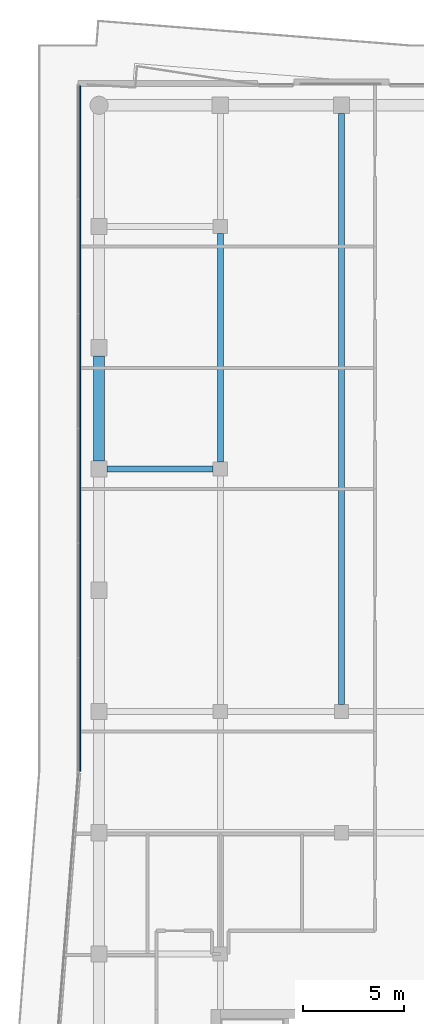
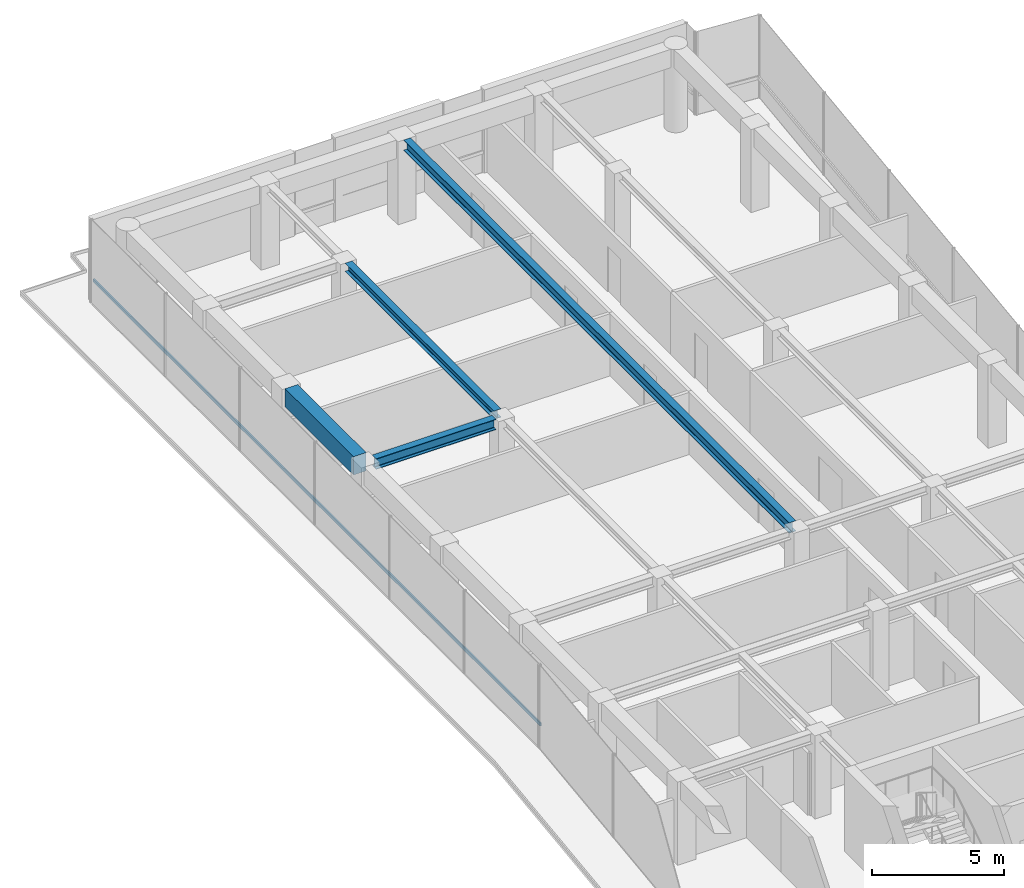
# One storey, part 10 of 23: 4 beams, 1 member, 1 element without a shape of its own.
"""IFC4 building model written with IfcOpenShell, lengths in metres."""

from ifc_helpers import new_model, si_unit, direction, frame, origin, origin_2d, place, context, subcontext, project, spatial, rectangle, i_section, extrude, material, layer, layer_set, material_profile, profile_set, type_object, element, aggregate, save


model = new_model("IFC4")

# Units and contexts
model_context = context("Model", 3, precision=1e-05, world=origin(), true_north=direction((0.0, 1.0)))
body_context = subcontext(model_context, "Body", "Model", "MODEL_VIEW")
ifc_project = project(units=[si_unit("LENGTHUNIT", "METRE"), si_unit("AREAUNIT", "SQUARE_METRE"), si_unit("VOLUMEUNIT", "CUBIC_METRE"), si_unit("PLANEANGLEUNIT", "RADIAN"), si_unit("MASSUNIT", "GRAM", prefix="KILO")], contexts=[model_context])

# Site, building, storey
site_placement = place(None, origin())
site = spatial("IfcSite", under=ifc_project, at=site_placement, CompositionType="ELEMENT")
building_placement = place(site_placement, origin())
building = spatial("IfcBuilding", under=site, at=building_placement, Name="Welwitschia Terrace Campus", CompositionType="ELEMENT")
storey_placement = place(building_placement, frame((0.0, 0.0, 247.39990234375)))
storey = spatial("IfcBuildingStorey", under=building, at=storey_placement, Name="L55", CompositionType="ELEMENT", Elevation=247.39990234375)

# Beams
ifc_material_1 = material(Name="Steel S355", Category="steel")
ifc_material_profile_1 = material_profile(ifc_material_1, i_section(OverallWidth=0.300048828125, OverallDepth=0.389892578125, WebThickness=0.010986328125, FlangeThickness=0.01904296875, FilletRadius=0.027099609375, at=origin_2d()))
ifc_profile_set_1 = profile_set([ifc_material_profile_1], Name="Steel S355")
beam_type_1 = type_object("IfcBeamType", Name="Interior girder HE 400 A", PredefinedType="BEAM", material=ifc_profile_set_1)
beam_1_placement = place(storey_placement, frame((6.0, 52.3505859375, 3.655029296875), z_axis=(0.0, 1.0, 0.0), x_axis=(-1.0, 0.0, 0.0)))
element("IfcBeam", 1, at=beam_1_placement, inside=storey, type_object=beam_type_1, Name="Girder GB5", PredefinedType="BEAM", context=body_context, shape_type="SweptSolid", body=[
    extrude(i_section(OverallWidth=0.300048828125, OverallDepth=0.389892578125, WebThickness=0.010986328125, FlangeThickness=0.01904296875, FilletRadius=0.027099609375, at=origin_2d()), origin(), (0.0, 0.0, 1.0), 11.298828125),
])
ifc_material_2 = material(Name="Steel S355", Category="steel")
ifc_material_profile_2 = material_profile(ifc_material_2, i_section(OverallWidth=0.300048828125, OverallDepth=0.489990234375, WebThickness=0.011962890625, FlangeThickness=0.02294921875, FilletRadius=0.027099609375, at=origin_2d()))
ifc_profile_set_2 = profile_set([ifc_material_profile_2], Name="Steel S355")
beam_type_2 = type_object("IfcBeamType", Name="Primary beam HE 500 A", PredefinedType="BEAM", material=ifc_profile_set_2)
beam_2_placement = place(storey_placement, frame((12.0, 69.599609375, 3.60498046875), z_axis=(0.0, -1.0, 0.0), x_axis=(1.0, 0.0, 0.0)))
element("IfcBeam", 2, at=beam_2_placement, inside=storey, type_object=beam_type_2, Name="Primary beam PB5", PredefinedType="BEAM", context=body_context, shape_type="SweptSolid", body=[
    extrude(i_section(OverallWidth=0.300048828125, OverallDepth=0.489990234375, WebThickness=0.011962890625, FlangeThickness=0.02294921875, FilletRadius=0.027099609375, at=origin_2d()), origin(), (0.0, 0.0, 1.0), 29.2490234375),
])
beam_3_placement = place(storey_placement, frame((0.400390625, 52.0, 3.60498046875), z_axis=(1.0, 0.0, 0.0), x_axis=(0.0, 1.0, 0.0)))
element("IfcBeam", 3, at=beam_3_placement, inside=storey, type_object=beam_type_2, Name="Primary beam PB5", PredefinedType="BEAM", context=body_context, shape_type="SweptSolid", body=[
    extrude(i_section(OverallWidth=0.300048828125, OverallDepth=0.489990234375, WebThickness=0.011962890625, FlangeThickness=0.02294921875, FilletRadius=0.027099609375, at=origin_2d()), origin(), (0.0, 0.0, 1.0), 5.2490234375),
])
ifc_material_3 = material(Name="Concrete C50/60", Category="concrete")
ifc_material_profile_3 = material_profile(ifc_material_3, rectangle(XDim=0.550048828125, YDim=0.85009765625, at=origin_2d()))
ifc_profile_set_3 = profile_set([ifc_material_profile_3], Name="Concrete C50/60")
beam_type_3 = type_object("IfcBeamType", Name="Ring spandrel 550x850", PredefinedType="SPANDREL", material=ifc_profile_set_3)
beam_4_placement = place(storey_placement, frame((0.0, 57.599609375, 3.425048828125), z_axis=(0.0, -1.0, 0.0), x_axis=(1.0, 0.0, 0.0)))
element("IfcBeam", 4, at=beam_4_placement, inside=storey, type_object=beam_type_3, Name="Spandrel SP3", PredefinedType="SPANDREL", context=body_context, shape_type="SweptSolid", body=[
    extrude(rectangle(XDim=0.550048828125, YDim=0.85009765625, at=origin_2d()), origin(), (0.0, 0.0, 1.0), 5.19921875),
])

# Curtain wall, member
ifc_material_4 = material(Name="Bronze anodised aluminium", Category="aluminium")
ifc_layer = layer(ifc_material_4, 0.1201171875)
ifc_layer_set = layer_set([ifc_layer], Name="Bronze anodised aluminium")
curtain_wall_type = type_object("IfcCurtainWallType", Name="Curtain wall CW2 tower 6000", PredefinedType="NOTDEFINED", material=ifc_layer_set)
curtain_wall_placement = place(storey_placement, origin())
curtain_wall = element("IfcCurtainWall", 5, at=curtain_wall_placement, inside=storey, type_object=curtain_wall_type, Name="CW L55.0.0", PredefinedType="NOTDEFINED")
ifc_material_5 = material(Name="Bronze anodised aluminium", Category="aluminium")
ifc_material_profile_4 = material_profile(ifc_material_5, rectangle(XDim=0.06005859375, YDim=0.14990234375, at=origin_2d()))
ifc_profile_set_4 = profile_set([ifc_material_profile_4], Name="Bronze anodised aluminium")
member_type = type_object("IfcMemberType", Name="Transom 60x150", PredefinedType="USERDEFINED", material=ifc_profile_set_4)
member_placement = place(storey_placement, frame((-0.93994140625, 70.969970703125, 1.0), z_axis=(0.0, -1.0, 0.0), x_axis=(1.0, 0.0, 0.0)))
member = element("IfcMember", 6, at=member_placement, type_object=member_type, Name="Transom L55.0.0", ObjectType="TRANSOM", PredefinedType="USERDEFINED", context=body_context, shape_type="SweptSolid", body=[
    extrude(rectangle(XDim=0.06005859375, YDim=0.14990234375, at=origin_2d()), origin(), (0.0, 0.0, 1.0), 33.932373046875),
])
aggregate(curtain_wall, [member])

save(model, "model.ifc")
